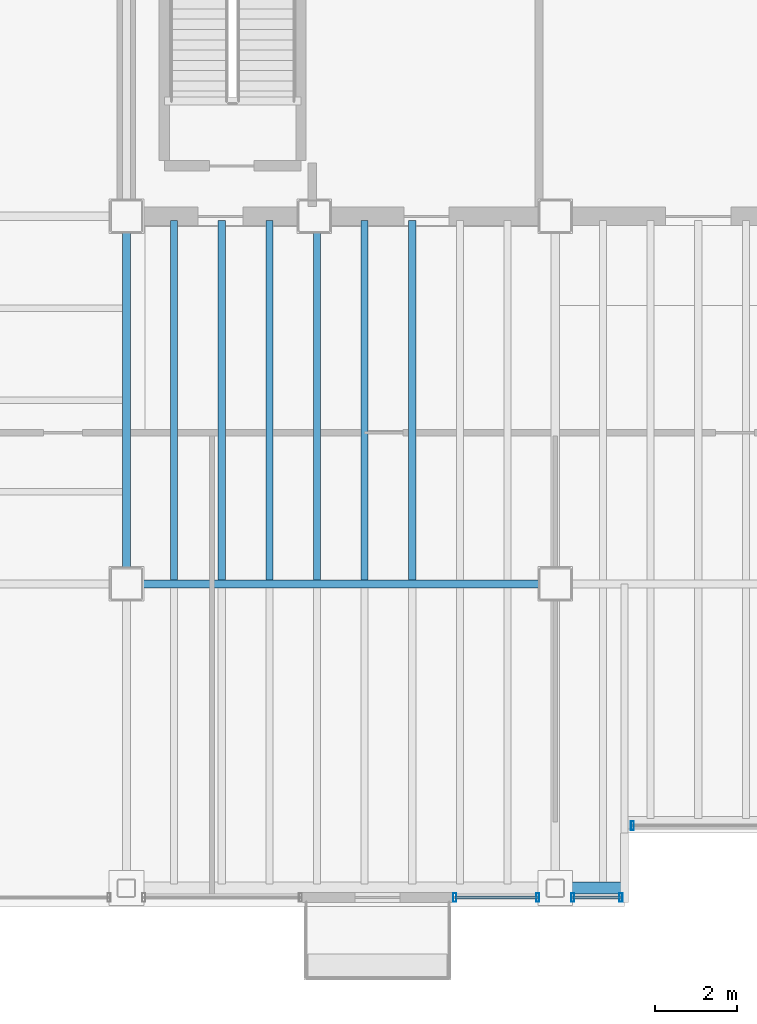
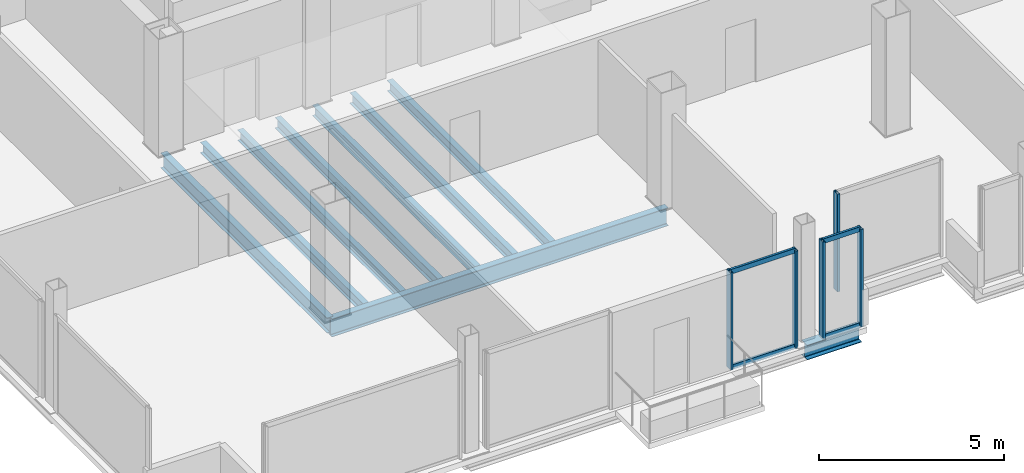
# One storey, part 5 of 16: 9 beams, 9 members, 3 elements without a shape of their own.
"""IFC4 building model written with IfcOpenShell, lengths in metres."""

from ifc_helpers import new_model, si_unit, direction, frame, origin, origin_2d, place, context, subcontext, project, spatial, hollow_rectangle, i_section, extrude, material, material_profile, profile_set, type_object, element, aggregate, save


model = new_model("IFC4")

# Units and contexts
model_context = context("Model", 3, precision=1e-05, world=origin(), true_north=direction((0.0, 1.0)))
body_context = subcontext(model_context, "Body", "Model", "MODEL_VIEW")
ifc_project = project(units=[si_unit("LENGTHUNIT", "METRE"), si_unit("AREAUNIT", "SQUARE_METRE"), si_unit("VOLUMEUNIT", "CUBIC_METRE"), si_unit("PLANEANGLEUNIT", "RADIAN"), si_unit("MASSUNIT", "GRAM", prefix="KILO")], contexts=[model_context])

# Site, building, storey
site_placement = place(None, origin())
site = spatial("IfcSite", under=ifc_project, at=site_placement, CompositionType="ELEMENT")
building_placement = place(site_placement, origin())
building = spatial("IfcBuilding", under=site, at=building_placement, Name="Noeulbin Bourse Tower", CompositionType="ELEMENT")
storey_placement = place(building_placement, frame((0.0, 0.0, 238.39990234375)))
storey = spatial("IfcBuildingStorey", under=building, at=storey_placement, Name="L59", CompositionType="ELEMENT", Elevation=238.39990234375)

# Beams
ifc_material_1 = material(Name="Steel S355", Category="steel")
ifc_material_profile_1 = material_profile(ifc_material_1, i_section(OverallWidth=0.199951171875, OverallDepth=0.5, WebThickness=0.010009765625, FlangeThickness=0.01611328125, FilletRadius=0.02001953125, at=origin_2d()), Name="H-500x200x10x16", Category="LoadBearing")
ifc_profile_set_1 = profile_set([ifc_material_profile_1], Name="Steel S355")
beam_type_1 = type_object("IfcBeamType", Name="BM-GRD-500", PredefinedType="USERDEFINED", material=ifc_profile_set_1)
beam_1_placement = place(storey_placement, frame((13.5, 20.0, -0.429931640625), z_axis=(0.0, 1.0, 0.0), x_axis=(-1.0, 0.0, 0.0)))
element("IfcBeam", 1, at=beam_1_placement, inside=storey, type_object=beam_type_1, Name="Tower Primary Girder NS L59-1.2", ObjectType="GIRDER", PredefinedType="USERDEFINED", context=body_context, shape_type="SweptSolid", body=[
    extrude(i_section(OverallWidth=0.199951171875, OverallDepth=0.5, WebThickness=0.010009765625, FlangeThickness=0.01611328125, FilletRadius=0.02001953125, at=origin_2d()), origin(), (0.0, 0.0, 1.0), 9.0),
])
ifc_material_profile_2 = material_profile(ifc_material_1, i_section(OverallWidth=0.199951171875, OverallDepth=0.60009765625, WebThickness=0.010986328125, FlangeThickness=0.01708984375, FilletRadius=0.02197265625, at=origin_2d()), Name="H-600x200x11x17", Category="LoadBearing")
ifc_profile_set_2 = profile_set([ifc_material_profile_2], Name="Steel S355")
beam_type_2 = type_object("IfcBeamType", Name="BM-GRD-600", PredefinedType="USERDEFINED", material=ifc_profile_set_2)
beam_2_placement = place(storey_placement, frame((13.5, 20.0, -0.47998046875), z_axis=(1.0, 0.0, 0.0), x_axis=(0.0, 1.0, 0.0)))
element("IfcBeam", 2, at=beam_2_placement, inside=storey, type_object=beam_type_2, Name="Tower Primary Girder EW L59-1.2", ObjectType="GIRDER", PredefinedType="USERDEFINED", context=body_context, shape_type="SweptSolid", body=[
    extrude(i_section(OverallWidth=0.199951171875, OverallDepth=0.60009765625, WebThickness=0.010986328125, FlangeThickness=0.01708984375, FilletRadius=0.02197265625, at=origin_2d()), origin(), (0.0, 0.0, 1.0), 10.5),
])
ifc_material_profile_3 = material_profile(ifc_material_1, i_section(OverallWidth=0.175048828125, OverallDepth=0.35009765625, WebThickness=0.007080078125, FlangeThickness=0.010986328125, FilletRadius=0.013916015625, at=origin_2d()), Name="H-350x175x7x11", Category="LoadBearing")
ifc_profile_set_3 = profile_set([ifc_material_profile_3], Name="Steel S355")
beam_type_3 = type_object("IfcBeamType", Name="BM-JST-350", PredefinedType="JOIST", material=ifc_profile_set_3)
for number, where, z_axis, x_axis, name in (
    (3, (14.666748046875, 20.10009765625, -0.35498046875), (0.0, 1.0, 0.0), (-1.0, 0.0, 0.0), "Tower Composite Joist L59-02"),
    (4, (15.833251953125, 20.10009765625, -0.35498046875), (0.0, 1.0, 0.0), (-1.0, 0.0, 0.0), "Tower Composite Joist L59-04"),
    (5, (17.0, 20.10009765625, -0.35498046875), (0.0, 1.0, 0.0), (-1.0, 0.0, 0.0), "Tower Composite Joist L59-06"),
    (6, (18.166748046875, 20.10009765625, -0.35498046875), (0.0, 1.0, 0.0), (-1.0, 0.0, 0.0), "Tower Composite Joist L59-08"),
    (7, (19.333251953125, 20.10009765625, -0.35498046875), (0.0, 1.0, 0.0), (-1.0, 0.0, 0.0), "Tower Composite Joist L59-10"),
    (8, (20.5, 20.10009765625, -0.35498046875), (0.0, 1.0, 0.0), (-1.0, 0.0, 0.0), "Tower Composite Joist L59-12"),
):
    element("IfcBeam", number, at=place(storey_placement, frame(where, z_axis=z_axis, x_axis=x_axis)), inside=storey, type_object=beam_type_3, Name=name, PredefinedType="JOIST", context=body_context, shape_type="SweptSolid", body=[
        extrude(i_section(OverallWidth=0.175048828125, OverallDepth=0.35009765625, WebThickness=0.007080078125, FlangeThickness=0.010986328125, FilletRadius=0.013916015625, at=origin_2d()), origin(), (0.0, 0.0, 1.0), 8.7998046875),
    ])
ifc_material_profile_4 = material_profile(ifc_material_1, i_section(OverallWidth=0.300048828125, OverallDepth=0.488037109375, WebThickness=0.010986328125, FlangeThickness=0.01806640625, FilletRadius=0.02197265625, at=origin_2d()), Name="H-488x300x11x18", Category="LoadBearing")
ifc_profile_set_4 = profile_set([ifc_material_profile_4], Name="Steel S355")
beam_type_4 = type_object("IfcBeamType", Name="BM-SPN-488", PredefinedType="SPANDREL", material=ifc_profile_set_4)
beam_3_placement = place(storey_placement, frame((24.0, 12.550048828125, -0.423828125), z_axis=(1.0, 0.0, 0.0), x_axis=(0.0, 1.0, 0.0)))
element("IfcBeam", 9, at=beam_3_placement, inside=storey, type_object=beam_type_4, Name="South Spandrel L59-2A", PredefinedType="SPANDREL", context=body_context, shape_type="SweptSolid", body=[
    extrude(i_section(OverallWidth=0.300048828125, OverallDepth=0.488037109375, WebThickness=0.010986328125, FlangeThickness=0.01806640625, FilletRadius=0.02197265625, at=origin_2d()), origin(), (0.0, 0.0, 1.0), 1.699951171875),
])

# Curtain wall, member
ifc_material_2 = material(Name="High-Selectivity Low-Iron Glazing", Category="glass")
curtain_wall_type = type_object("IfcCurtainWallType", Name="CW-SYS-4", PredefinedType="NOTDEFINED", material=ifc_material_2)
curtain_wall_1_placement = place(storey_placement, origin())
curtain_wall_1 = element("IfcCurtainWall", 10, at=curtain_wall_1_placement, inside=storey, type_object=curtain_wall_type, Name="Unitised Curtain Wall CW-L59-SREC", PredefinedType="NOTDEFINED")
ifc_material_3 = material(Name="Anodised Aluminium 6063-T6", Category="aluminium")
ifc_material_profile_5 = material_profile(ifc_material_3, hollow_rectangle(XDim=0.074951171875, YDim=0.219970703125, WallThickness=0.0048828125, InnerFilletRadius=0.00244140625, OuterFilletRadius=0.0048828125, at=origin_2d()), Name="ALU-MULL-75x220x5", Category="LoadBearing")
ifc_profile_set_5 = profile_set([ifc_material_profile_5], Name="Anodised Aluminium 6063-T6")
member_type_1 = type_object("IfcMemberType", Name="CW-SYS-4-MUL", PredefinedType="MULLION", material=ifc_profile_set_5)
member_1_placement = place(storey_placement, frame((25.889892578125, 14.080078125, -0.02001953125), z_axis=(0.0, 0.0, 1.0), x_axis=(1.0, 0.0, 0.0)))
member_1 = element("IfcMember", 11, at=member_1_placement, type_object=member_type_1, Name="Curtain Wall Mullion CW-L59-SREC-M00", PredefinedType="MULLION", context=body_context, shape_type="SweptSolid", body=[
    extrude(hollow_rectangle(XDim=0.074951171875, YDim=0.219970703125, WallThickness=0.0048828125, InnerFilletRadius=0.00244140625, OuterFilletRadius=0.0048828125, at=origin_2d()), origin(), (0.0, 0.0, 1.0), 3.22021484375),
])
aggregate(curtain_wall_1, [member_1])

# Curtain wall, members
curtain_wall_2_placement = place(storey_placement, origin())
curtain_wall_2 = element("IfcCurtainWall", 12, at=curtain_wall_2_placement, inside=storey, type_object=curtain_wall_type, Name="Unitised Curtain Wall CW-L59-S2-S1", PredefinedType="NOTDEFINED")
member_2_placement = place(storey_placement, frame((21.5400390625, 12.320068359375, -0.02001953125), z_axis=(0.0, 0.0, 1.0), x_axis=(1.0, 0.0, 0.0)))
member_2 = element("IfcMember", 13, at=member_2_placement, type_object=member_type_1, Name="Curtain Wall Mullion CW-L59-S2-S1-M00", PredefinedType="MULLION", context=body_context, shape_type="SweptSolid", body=[
    extrude(hollow_rectangle(XDim=0.074951171875, YDim=0.219970703125, WallThickness=0.0048828125, InnerFilletRadius=0.00244140625, OuterFilletRadius=0.0048828125, at=origin_2d()), origin(), (0.0, 0.0, 1.0), 3.22021484375),
])
member_3_placement = place(storey_placement, frame((23.574951171875, 12.320068359375, -0.02001953125), z_axis=(0.0, 0.0, 1.0), x_axis=(1.0, 0.0, 0.0)))
member_3 = element("IfcMember", 14, at=member_3_placement, type_object=member_type_1, Name="Curtain Wall Mullion CW-L59-S2-S1-M01", PredefinedType="MULLION", context=body_context, shape_type="SweptSolid", body=[
    extrude(hollow_rectangle(XDim=0.074951171875, YDim=0.219970703125, WallThickness=0.0048828125, InnerFilletRadius=0.00244140625, OuterFilletRadius=0.0048828125, at=origin_2d()), origin(), (0.0, 0.0, 1.0), 3.22021484375),
])

curtain_wall_3_placement = place(storey_placement, origin())
curtain_wall_3 = element("IfcCurtainWall", 15, at=curtain_wall_3_placement, inside=storey, type_object=curtain_wall_type, Name="Unitised Curtain Wall CW-L59-S2-S2", PredefinedType="NOTDEFINED")
member_4_placement = place(storey_placement, frame((24.425048828125, 12.320068359375, -0.02001953125), z_axis=(0.0, 0.0, 1.0), x_axis=(1.0, 0.0, 0.0)))
member_4 = element("IfcMember", 16, at=member_4_placement, type_object=member_type_1, Name="Curtain Wall Mullion CW-L59-S2-S2-M00", PredefinedType="MULLION", context=body_context, shape_type="SweptSolid", body=[
    extrude(hollow_rectangle(XDim=0.074951171875, YDim=0.219970703125, WallThickness=0.0048828125, InnerFilletRadius=0.00244140625, OuterFilletRadius=0.0048828125, at=origin_2d()), origin(), (0.0, 0.0, 1.0), 3.22021484375),
])
member_5_placement = place(storey_placement, frame((25.610107421875, 12.320068359375, -0.02001953125), z_axis=(0.0, 0.0, 1.0), x_axis=(1.0, 0.0, 0.0)))
member_5 = element("IfcMember", 17, at=member_5_placement, type_object=member_type_1, Name="Curtain Wall Mullion CW-L59-S2-S2-M01", PredefinedType="MULLION", context=body_context, shape_type="SweptSolid", body=[
    extrude(hollow_rectangle(XDim=0.074951171875, YDim=0.219970703125, WallThickness=0.0048828125, InnerFilletRadius=0.00244140625, OuterFilletRadius=0.0048828125, at=origin_2d()), origin(), (0.0, 0.0, 1.0), 3.22021484375),
])

# Member
ifc_material_profile_6 = material_profile(ifc_material_3, hollow_rectangle(XDim=0.074951171875, YDim=0.159912109375, WallThickness=0.0048828125, InnerFilletRadius=0.00244140625, OuterFilletRadius=0.0048828125, at=origin_2d()), Name="ALU-TRAN-75x160x5", Category="LoadBearing")
ifc_profile_set_6 = profile_set([ifc_material_profile_6], Name="Anodised Aluminium 6063-T6")
member_type_2 = type_object("IfcMemberType", Name="CW-SYS-4-TRN", PredefinedType="USERDEFINED", material=ifc_profile_set_6)
member_6_placement = place(storey_placement, frame((21.550048828125, 12.320068359375, 0.010009765625), z_axis=(1.0, 0.0, 0.0), x_axis=(0.0, 1.0, 0.0)))
member_6 = element("IfcMember", 18, at=member_6_placement, type_object=member_type_2, Name="Curtain Wall Transom CW-L59-S2-S1-T00", ObjectType="TRANSOM", PredefinedType="USERDEFINED", context=body_context, shape_type="SweptSolid", body=[
    extrude(hollow_rectangle(XDim=0.074951171875, YDim=0.159912109375, WallThickness=0.0048828125, InnerFilletRadius=0.00244140625, OuterFilletRadius=0.0048828125, at=origin_2d()), origin(), (0.0, 0.0, 1.0), 2.014892578125),
])

member_7_placement = place(storey_placement, frame((21.550048828125, 12.320068359375, 3.170166015625), z_axis=(1.0, 0.0, 0.0), x_axis=(0.0, 1.0, 0.0)))
member_7 = element("IfcMember", 19, at=member_7_placement, type_object=member_type_2, Name="Curtain Wall Transom CW-L59-S2-S1-T01", ObjectType="TRANSOM", PredefinedType="USERDEFINED", context=body_context, shape_type="SweptSolid", body=[
    extrude(hollow_rectangle(XDim=0.074951171875, YDim=0.159912109375, WallThickness=0.0048828125, InnerFilletRadius=0.00244140625, OuterFilletRadius=0.0048828125, at=origin_2d()), origin(), (0.0, 0.0, 1.0), 2.014892578125),
])

aggregate(curtain_wall_2, [member_2, member_3, member_6, member_7])

member_8_placement = place(storey_placement, frame((24.43505859375, 12.320068359375, 0.010009765625), z_axis=(1.0, 0.0, 0.0), x_axis=(0.0, 1.0, 0.0)))
member_8 = element("IfcMember", 20, at=member_8_placement, type_object=member_type_2, Name="Curtain Wall Transom CW-L59-S2-S2-T00", ObjectType="TRANSOM", PredefinedType="USERDEFINED", context=body_context, shape_type="SweptSolid", body=[
    extrude(hollow_rectangle(XDim=0.074951171875, YDim=0.159912109375, WallThickness=0.0048828125, InnerFilletRadius=0.00244140625, OuterFilletRadius=0.0048828125, at=origin_2d()), origin(), (0.0, 0.0, 1.0), 1.1650390625),
])

member_9_placement = place(storey_placement, frame((24.43505859375, 12.320068359375, 3.170166015625), z_axis=(1.0, 0.0, 0.0), x_axis=(0.0, 1.0, 0.0)))
member_9 = element("IfcMember", 21, at=member_9_placement, type_object=member_type_2, Name="Curtain Wall Transom CW-L59-S2-S2-T01", ObjectType="TRANSOM", PredefinedType="USERDEFINED", context=body_context, shape_type="SweptSolid", body=[
    extrude(hollow_rectangle(XDim=0.074951171875, YDim=0.159912109375, WallThickness=0.0048828125, InnerFilletRadius=0.00244140625, OuterFilletRadius=0.0048828125, at=origin_2d()), origin(), (0.0, 0.0, 1.0), 1.1650390625),
])

aggregate(curtain_wall_3, [member_4, member_5, member_8, member_9])

save(model, "model.ifc")
